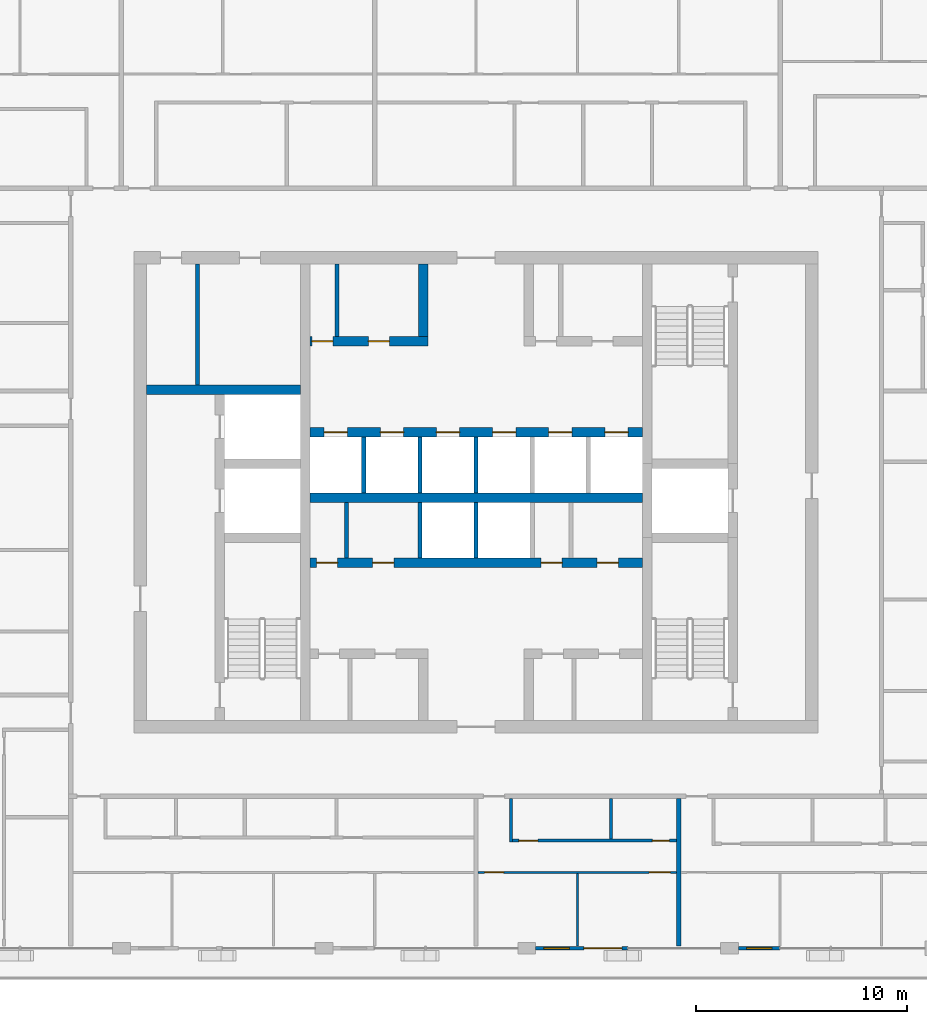
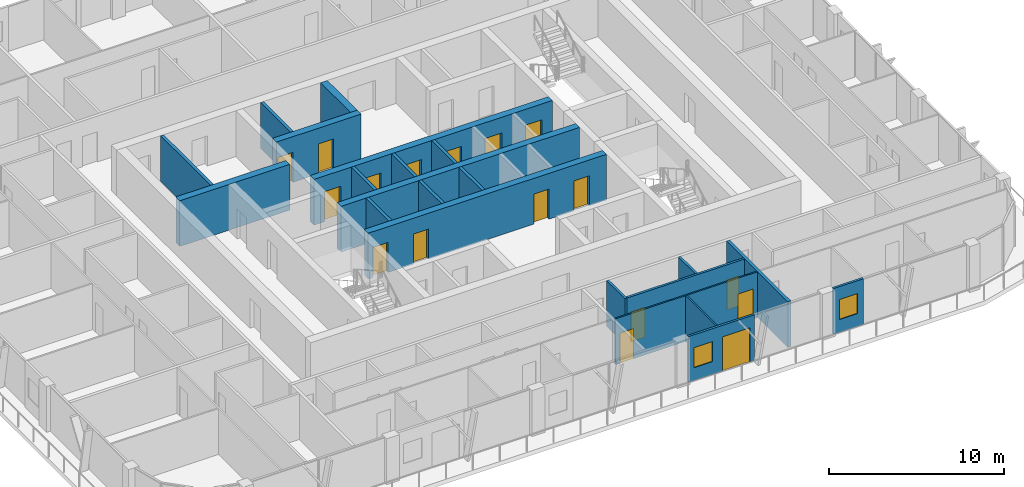
# One storey, part 11 of 21: 22 walls, 17 doors, 2 windows, 19 openings.
"""IFC4 building model written with IfcOpenShell, lengths in metres."""

from ifc_helpers import new_model, si_unit, direction, frame, frame_2d, origin, place, context, subcontext, project, spatial, rectangle, extrude, material, layer, layer_set, type_object, element, fill, save


model = new_model("IFC4")

# Units and contexts
model_context = context("Model", 3, precision=1e-05, world=origin(), true_north=direction((0.0, 1.0)))
body_context = subcontext(model_context, "Body", "Model", "MODEL_VIEW")
ifc_project = project(units=[si_unit("LENGTHUNIT", "METRE"), si_unit("AREAUNIT", "SQUARE_METRE"), si_unit("VOLUMEUNIT", "CUBIC_METRE"), si_unit("PLANEANGLEUNIT", "RADIAN"), si_unit("MASSUNIT", "GRAM", prefix="KILO")], contexts=[model_context])

# Site, building, storey
site_placement = place(None, origin())
site = spatial("IfcSite", under=ifc_project, at=site_placement, CompositionType="ELEMENT")
building_placement = place(site_placement, origin())
building = spatial("IfcBuilding", under=site, at=building_placement, Name="Madar Terraces", CompositionType="ELEMENT")
storey_placement = place(building_placement, frame((0.0, 0.0, 245.699951171875)))
storey = spatial("IfcBuildingStorey", under=building, at=storey_placement, Name="L64", CompositionType="ELEMENT", Elevation=245.699951171875)

# Wall
ifc_material_1 = material(Name="Concrete C55/67", Category="concrete")
ifc_layer_1 = layer(ifc_material_1, 0.449951171875)
ifc_layer_set_1 = layer_set([ifc_layer_1], Name="Concrete C55/67 (CIW5 RC wall 450)")
wall_type_1 = type_object("IfcWallType", Name="CIW5 RC wall 450", PredefinedType="SHEAR", material=ifc_layer_set_1)
wall_1_placement = place(storey_placement, frame((15.60009765625, 31.25, 0.0), z_axis=(0.0, 0.0, 1.0), x_axis=(1.0, 0.0, 0.0)))
element("IfcWall", 1, at=wall_1_placement, inside=storey, type_object=wall_type_1, Name="CORE SHAFT WALL", PredefinedType="SHEAR", context=body_context, shape_type="SweptSolid", body=[
    extrude(rectangle(XDim=7.27490234375, YDim=0.449951171875, at=frame_2d((3.637451171875, 0.0))), origin(), (0.0, 0.0, 1.0), 3.199951171875),
])

# Wall, openings, doors
wall_2_placement = place(storey_placement, frame((23.324951171875, 23.050048828125, 0.0), z_axis=(0.0, 0.0, 1.0), x_axis=(1.0, 0.0, 0.0)))
wall_2 = element("IfcWall", 2, at=wall_2_placement, inside=storey, type_object=wall_type_1, Name="CORE SHAFT WALL", PredefinedType="SHEAR", context=body_context, shape_type="SweptSolid", body=[
    extrude(rectangle(XDim=15.75, YDim=0.449951171875, at=frame_2d((7.875, 0.0))), origin(), (0.0, 0.0, 1.0), 3.199951171875),
])
opening_1_placement = place(wall_2_placement, frame((0.31982421875, 0.0, 0.0)))
opening_1 = element("IfcOpeningElement", 3, at=opening_1_placement, cuts=wall_2, Name="Opening KD2", PredefinedType="OPENING", context=body_context, shape_type="SweptSolid", body=[
    extrude(rectangle(XDim=1.0, YDim=2.10009765625, at=frame_2d((0.5, 1.050048828125))), frame((0.0, 0.23486328125, 0.0), z_axis=(0.0, -1.0, 0.0), x_axis=(1.0, 0.0, 0.0)), (0.0, 0.0, 1.0), 0.469970703125),
])
opening_2_placement = place(wall_2_placement, frame((2.978271484375, 0.0, 0.0)))
opening_2 = element("IfcOpeningElement", 4, at=opening_2_placement, cuts=wall_2, Name="Opening KD2", PredefinedType="OPENING", context=body_context, shape_type="SweptSolid", body=[
    extrude(rectangle(XDim=1.0, YDim=2.10009765625, at=frame_2d((0.5, 1.050048828125))), frame((0.0, 0.23486328125, 0.0), z_axis=(0.0, -1.0, 0.0), x_axis=(1.0, 0.0, 0.0)), (0.0, 0.0, 1.0), 0.469970703125),
])
opening_3_placement = place(wall_2_placement, frame((10.953125, 0.0, 0.0)))
opening_3 = element("IfcOpeningElement", 5, at=opening_3_placement, cuts=wall_2, Name="Opening KD2", PredefinedType="OPENING", context=body_context, shape_type="SweptSolid", body=[
    extrude(rectangle(XDim=1.0, YDim=2.10009765625, at=frame_2d((0.5, 1.050048828125))), frame((0.0, 0.23486328125, 0.0), z_axis=(0.0, -1.0, 0.0), x_axis=(1.0, 0.0, 0.0)), (0.0, 0.0, 1.0), 0.469970703125),
])
opening_4_placement = place(wall_2_placement, frame((13.611572265625, 0.0, 0.0)))
opening_4 = element("IfcOpeningElement", 6, at=opening_4_placement, cuts=wall_2, Name="Opening KD2", PredefinedType="OPENING", context=body_context, shape_type="SweptSolid", body=[
    extrude(rectangle(XDim=1.0, YDim=2.10009765625, at=frame_2d((0.5, 1.050048828125))), frame((0.0, 0.23486328125, 0.0), z_axis=(0.0, -1.0, 0.0), x_axis=(1.0, 0.0, 0.0)), (0.0, 0.0, 1.0), 0.469970703125),
])
ifc_material_2 = material(Name="Steel door leaf", Category="steel")
door_type_1 = type_object("IfcDoorType", Name="Service room door 1000 x 2100", OperationType="NOTDEFINED", PredefinedType="DOOR", material=ifc_material_2)
door_1_placement = place(opening_1_placement, frame((1.0, 0.0, 0.0), z_axis=(0.0, 0.0, 1.0), x_axis=(-1.0, 0.0, 0.0)))
door_1 = element("IfcDoor", 7, at=door_1_placement, inside=storey, type_object=door_type_1, Name="SERVICE ROOM DOOR", OperationType="SINGLE_SWING_LEFT", OverallHeight=2.10009765625, OverallWidth=1.0, PredefinedType="DOOR", context=body_context, shape_type="SweptSolid", body=[
    extrude(rectangle(XDim=1.0, YDim=2.10009765625, at=frame_2d((0.5, 1.050048828125))), frame((0.0, 0.02490234375, 0.0), z_axis=(0.0, -1.0, 0.0), x_axis=(1.0, 0.0, 0.0)), (0.0, 0.0, 1.0), 0.050048828125),
])
fill(opening_1, door_1)
door_2_placement = place(opening_2_placement, frame((1.0, 0.0, 0.0), z_axis=(0.0, 0.0, 1.0), x_axis=(-1.0, 0.0, 0.0)))
door_2 = element("IfcDoor", 8, at=door_2_placement, inside=storey, type_object=door_type_1, Name="SERVICE ROOM DOOR", OperationType="SINGLE_SWING_RIGHT", OverallHeight=2.10009765625, OverallWidth=1.0, PredefinedType="DOOR", context=body_context, shape_type="SweptSolid", body=[
    extrude(rectangle(XDim=1.0, YDim=2.10009765625, at=frame_2d((0.5, 1.050048828125))), frame((0.0, 0.02490234375, 0.0), z_axis=(0.0, -1.0, 0.0), x_axis=(1.0, 0.0, 0.0)), (0.0, 0.0, 1.0), 0.050048828125),
])
fill(opening_2, door_2)
door_3_placement = place(opening_3_placement, frame((1.0, 0.0, 0.0), z_axis=(0.0, 0.0, 1.0), x_axis=(-1.0, 0.0, 0.0)))
door_3 = element("IfcDoor", 9, at=door_3_placement, inside=storey, type_object=door_type_1, Name="SERVICE ROOM DOOR", OperationType="SINGLE_SWING_LEFT", OverallHeight=2.10009765625, OverallWidth=1.0, PredefinedType="DOOR", context=body_context, shape_type="SweptSolid", body=[
    extrude(rectangle(XDim=1.0, YDim=2.10009765625, at=frame_2d((0.5, 1.050048828125))), frame((0.0, 0.02490234375, 0.0), z_axis=(0.0, -1.0, 0.0), x_axis=(1.0, 0.0, 0.0)), (0.0, 0.0, 1.0), 0.050048828125),
])
fill(opening_3, door_3)
door_4_placement = place(opening_4_placement, frame((1.0, 0.0, 0.0), z_axis=(0.0, 0.0, 1.0), x_axis=(-1.0, 0.0, 0.0)))
door_4 = element("IfcDoor", 10, at=door_4_placement, inside=storey, type_object=door_type_1, Name="SERVICE ROOM DOOR", OperationType="SINGLE_SWING_RIGHT", OverallHeight=2.10009765625, OverallWidth=1.0, PredefinedType="DOOR", context=body_context, shape_type="SweptSolid", body=[
    extrude(rectangle(XDim=1.0, YDim=2.10009765625, at=frame_2d((0.5, 1.050048828125))), frame((0.0, 0.02490234375, 0.0), z_axis=(0.0, -1.0, 0.0), x_axis=(1.0, 0.0, 0.0)), (0.0, 0.0, 1.0), 0.050048828125),
])
fill(opening_4, door_4)

# Wall
wall_3_placement = place(storey_placement, frame((23.324951171875, 26.14990234375, 0.0), z_axis=(0.0, 0.0, 1.0), x_axis=(1.0, 0.0, 0.0)))
element("IfcWall", 11, at=wall_3_placement, inside=storey, type_object=wall_type_1, Name="CORE SHAFT WALL", PredefinedType="SHEAR", context=body_context, shape_type="SweptSolid", body=[
    extrude(rectangle(XDim=15.75, YDim=0.449951171875, at=frame_2d((7.875, 0.0))), origin(), (0.0, 0.0, 1.0), 3.199951171875),
])

# Wall, openings, doors
wall_4_placement = place(storey_placement, frame((23.324951171875, 29.25, 0.0), z_axis=(0.0, 0.0, 1.0), x_axis=(1.0, 0.0, 0.0)))
wall_4 = element("IfcWall", 12, at=wall_4_placement, inside=storey, type_object=wall_type_1, Name="CORE SHAFT WALL", PredefinedType="SHEAR", context=body_context, shape_type="SweptSolid", body=[
    extrude(rectangle(XDim=15.75, YDim=0.449951171875, at=frame_2d((7.875, 0.0))), origin(), (0.0, 0.0, 1.0), 3.199951171875),
])
opening_5_placement = place(wall_4_placement, frame((0.67919921875, 0.0, 0.0)))
opening_5 = element("IfcOpeningElement", 13, at=opening_5_placement, cuts=wall_4, Name="Opening LD", PredefinedType="OPENING", context=body_context, shape_type="SweptSolid", body=[
    extrude(rectangle(XDim=1.10009765625, YDim=2.10009765625, at=frame_2d((0.550048828125, 1.050048828125))), frame((0.0, 0.23486328125, 0.0), z_axis=(0.0, -1.0, 0.0), x_axis=(1.0, 0.0, 0.0)), (0.0, 0.0, 1.0), 0.469970703125),
])
opening_6_placement = place(wall_4_placement, frame((3.33740234375, 0.0, 0.0)))
opening_6 = element("IfcOpeningElement", 14, at=opening_6_placement, cuts=wall_4, Name="Opening LD", PredefinedType="OPENING", context=body_context, shape_type="SweptSolid", body=[
    extrude(rectangle(XDim=1.10009765625, YDim=2.10009765625, at=frame_2d((0.550048828125, 1.050048828125))), frame((0.0, 0.23486328125, 0.0), z_axis=(0.0, -1.0, 0.0), x_axis=(1.0, 0.0, 0.0)), (0.0, 0.0, 1.0), 0.469970703125),
])
opening_7_placement = place(wall_4_placement, frame((5.995849609375, 0.0, 0.0)))
opening_7 = element("IfcOpeningElement", 15, at=opening_7_placement, cuts=wall_4, Name="Opening LD", PredefinedType="OPENING", context=body_context, shape_type="SweptSolid", body=[
    extrude(rectangle(XDim=1.10009765625, YDim=2.10009765625, at=frame_2d((0.550048828125, 1.050048828125))), frame((0.0, 0.23486328125, 0.0), z_axis=(0.0, -1.0, 0.0), x_axis=(1.0, 0.0, 0.0)), (0.0, 0.0, 1.0), 0.469970703125),
])
opening_8_placement = place(wall_4_placement, frame((8.654052734375, 0.0, 0.0)))
opening_8 = element("IfcOpeningElement", 16, at=opening_8_placement, cuts=wall_4, Name="Opening LD", PredefinedType="OPENING", context=body_context, shape_type="SweptSolid", body=[
    extrude(rectangle(XDim=1.10009765625, YDim=2.10009765625, at=frame_2d((0.550048828125, 1.050048828125))), frame((0.0, 0.23486328125, 0.0), z_axis=(0.0, -1.0, 0.0), x_axis=(1.0, 0.0, 0.0)), (0.0, 0.0, 1.0), 0.469970703125),
])
opening_9_placement = place(wall_4_placement, frame((11.3125, 0.0, 0.0)))
opening_9 = element("IfcOpeningElement", 17, at=opening_9_placement, cuts=wall_4, Name="Opening LD", PredefinedType="OPENING", context=body_context, shape_type="SweptSolid", body=[
    extrude(rectangle(XDim=1.10009765625, YDim=2.10009765625, at=frame_2d((0.550048828125, 1.050048828125))), frame((0.0, 0.23486328125, 0.0), z_axis=(0.0, -1.0, 0.0), x_axis=(1.0, 0.0, 0.0)), (0.0, 0.0, 1.0), 0.469970703125),
])
opening_10_placement = place(wall_4_placement, frame((13.970947265625, 0.0, 0.0)))
opening_10 = element("IfcOpeningElement", 18, at=opening_10_placement, cuts=wall_4, Name="Opening LD", PredefinedType="OPENING", context=body_context, shape_type="SweptSolid", body=[
    extrude(rectangle(XDim=1.10009765625, YDim=2.10009765625, at=frame_2d((0.550048828125, 1.050048828125))), frame((0.0, 0.23486328125, 0.0), z_axis=(0.0, -1.0, 0.0), x_axis=(1.0, 0.0, 0.0)), (0.0, 0.0, 1.0), 0.469970703125),
])
ifc_material_3 = material(Name="Stainless steel panel", Category="steel")
door_type_2 = type_object("IfcDoorType", Name="Lift landing door 1100 x 2100", OperationType="DOUBLE_DOOR_SLIDING", PredefinedType="DOOR", material=ifc_material_3)
door_5_placement = place(opening_5_placement, origin())
door_5 = element("IfcDoor", 19, at=door_5_placement, inside=storey, type_object=door_type_2, Name="LIFT LANDING DOOR", OperationType="DOUBLE_DOOR_SLIDING", OverallHeight=2.10009765625, OverallWidth=1.10009765625, PredefinedType="DOOR", context=body_context, shape_type="SweptSolid", body=[
    extrude(rectangle(XDim=1.10009765625, YDim=2.10009765625, at=frame_2d((0.550048828125, 1.050048828125))), frame((0.0, 0.02490234375, 0.0), z_axis=(0.0, -1.0, 0.0), x_axis=(1.0, 0.0, 0.0)), (0.0, 0.0, 1.0), 0.050048828125),
])
fill(opening_5, door_5)
door_6_placement = place(opening_6_placement, origin())
door_6 = element("IfcDoor", 20, at=door_6_placement, inside=storey, type_object=door_type_2, Name="LIFT LANDING DOOR", OperationType="DOUBLE_DOOR_SLIDING", OverallHeight=2.10009765625, OverallWidth=1.10009765625, PredefinedType="DOOR", context=body_context, shape_type="SweptSolid", body=[
    extrude(rectangle(XDim=1.10009765625, YDim=2.10009765625, at=frame_2d((0.550048828125, 1.050048828125))), frame((0.0, 0.02490234375, 0.0), z_axis=(0.0, -1.0, 0.0), x_axis=(1.0, 0.0, 0.0)), (0.0, 0.0, 1.0), 0.050048828125),
])
fill(opening_6, door_6)
door_7_placement = place(opening_7_placement, origin())
door_7 = element("IfcDoor", 21, at=door_7_placement, inside=storey, type_object=door_type_2, Name="LIFT LANDING DOOR", OperationType="DOUBLE_DOOR_SLIDING", OverallHeight=2.10009765625, OverallWidth=1.10009765625, PredefinedType="DOOR", context=body_context, shape_type="SweptSolid", body=[
    extrude(rectangle(XDim=1.10009765625, YDim=2.10009765625, at=frame_2d((0.550048828125, 1.050048828125))), frame((0.0, 0.02490234375, 0.0), z_axis=(0.0, -1.0, 0.0), x_axis=(1.0, 0.0, 0.0)), (0.0, 0.0, 1.0), 0.050048828125),
])
fill(opening_7, door_7)
door_8_placement = place(opening_8_placement, origin())
door_8 = element("IfcDoor", 22, at=door_8_placement, inside=storey, type_object=door_type_2, Name="LIFT LANDING DOOR", OperationType="DOUBLE_DOOR_SLIDING", OverallHeight=2.10009765625, OverallWidth=1.10009765625, PredefinedType="DOOR", context=body_context, shape_type="SweptSolid", body=[
    extrude(rectangle(XDim=1.10009765625, YDim=2.10009765625, at=frame_2d((0.550048828125, 1.050048828125))), frame((0.0, 0.02490234375, 0.0), z_axis=(0.0, -1.0, 0.0), x_axis=(1.0, 0.0, 0.0)), (0.0, 0.0, 1.0), 0.050048828125),
])
fill(opening_8, door_8)
door_9_placement = place(opening_9_placement, origin())
door_9 = element("IfcDoor", 23, at=door_9_placement, inside=storey, type_object=door_type_2, Name="LIFT LANDING DOOR", OperationType="DOUBLE_DOOR_SLIDING", OverallHeight=2.10009765625, OverallWidth=1.10009765625, PredefinedType="DOOR", context=body_context, shape_type="SweptSolid", body=[
    extrude(rectangle(XDim=1.10009765625, YDim=2.10009765625, at=frame_2d((0.550048828125, 1.050048828125))), frame((0.0, 0.02490234375, 0.0), z_axis=(0.0, -1.0, 0.0), x_axis=(1.0, 0.0, 0.0)), (0.0, 0.0, 1.0), 0.050048828125),
])
fill(opening_9, door_9)
door_10_placement = place(opening_10_placement, origin())
door_10 = element("IfcDoor", 24, at=door_10_placement, inside=storey, type_object=door_type_2, Name="LIFT LANDING DOOR", OperationType="DOUBLE_DOOR_SLIDING", OverallHeight=2.10009765625, OverallWidth=1.10009765625, PredefinedType="DOOR", context=body_context, shape_type="SweptSolid", body=[
    extrude(rectangle(XDim=1.10009765625, YDim=2.10009765625, at=frame_2d((0.550048828125, 1.050048828125))), frame((0.0, 0.02490234375, 0.0), z_axis=(0.0, -1.0, 0.0), x_axis=(1.0, 0.0, 0.0)), (0.0, 0.0, 1.0), 0.050048828125),
])
fill(opening_10, door_10)

wall_5_placement = place(storey_placement, frame((23.324951171875, 33.550048828125, 0.0), z_axis=(0.0, 0.0, 1.0), x_axis=(1.0, 0.0, 0.0)))
wall_5 = element("IfcWall", 25, at=wall_5_placement, inside=storey, type_object=wall_type_1, Name="CORE SHAFT WALL", PredefinedType="SHEAR", context=body_context, shape_type="SweptSolid", body=[
    extrude(rectangle(XDim=5.60009765625, YDim=0.449951171875, at=frame_2d((2.800048828125, 0.0))), origin(), (0.0, 0.0, 1.0), 3.199951171875),
])
opening_11_placement = place(wall_5_placement, frame((0.09375, 0.0, 0.0)))
opening_11 = element("IfcOpeningElement", 26, at=opening_11_placement, cuts=wall_5, Name="Opening KD2", PredefinedType="OPENING", context=body_context, shape_type="SweptSolid", body=[
    extrude(rectangle(XDim=1.0, YDim=2.10009765625, at=frame_2d((0.5, 1.050048828125))), frame((0.0, 0.23486328125, 0.0), z_axis=(0.0, -1.0, 0.0), x_axis=(1.0, 0.0, 0.0)), (0.0, 0.0, 1.0), 0.469970703125),
])
opening_12_placement = place(wall_5_placement, frame((2.768798828125, 0.0, 0.0)))
opening_12 = element("IfcOpeningElement", 27, at=opening_12_placement, cuts=wall_5, Name="Opening KD2", PredefinedType="OPENING", context=body_context, shape_type="SweptSolid", body=[
    extrude(rectangle(XDim=1.0, YDim=2.10009765625, at=frame_2d((0.5, 1.050048828125))), frame((0.0, 0.23486328125, 0.0), z_axis=(0.0, -1.0, 0.0), x_axis=(1.0, 0.0, 0.0)), (0.0, 0.0, 1.0), 0.469970703125),
])
door_11_placement = place(opening_11_placement, frame((1.0, 0.0, 0.0), z_axis=(0.0, 0.0, 1.0), x_axis=(-1.0, 0.0, 0.0)))
door_11 = element("IfcDoor", 28, at=door_11_placement, inside=storey, type_object=door_type_1, Name="SERVICE ROOM DOOR", OperationType="SINGLE_SWING_LEFT", OverallHeight=2.10009765625, OverallWidth=1.0, PredefinedType="DOOR", context=body_context, shape_type="SweptSolid", body=[
    extrude(rectangle(XDim=1.0, YDim=2.10009765625, at=frame_2d((0.5, 1.050048828125))), frame((0.0, 0.02490234375, 0.0), z_axis=(0.0, -1.0, 0.0), x_axis=(1.0, 0.0, 0.0)), (0.0, 0.0, 1.0), 0.050048828125),
])
fill(opening_11, door_11)
door_12_placement = place(opening_12_placement, frame((1.0, 0.0, 0.0), z_axis=(0.0, 0.0, 1.0), x_axis=(-1.0, 0.0, 0.0)))
door_12 = element("IfcDoor", 29, at=door_12_placement, inside=storey, type_object=door_type_1, Name="SERVICE ROOM DOOR", OperationType="SINGLE_SWING_RIGHT", OverallHeight=2.10009765625, OverallWidth=1.0, PredefinedType="DOOR", context=body_context, shape_type="SweptSolid", body=[
    extrude(rectangle(XDim=1.0, YDim=2.10009765625, at=frame_2d((0.5, 1.050048828125))), frame((0.0, 0.02490234375, 0.0), z_axis=(0.0, -1.0, 0.0), x_axis=(1.0, 0.0, 0.0)), (0.0, 0.0, 1.0), 0.050048828125),
])
fill(opening_12, door_12)

# Walls
wall_6_placement = place(storey_placement, frame((28.699951171875, 33.77490234375, 0.0), z_axis=(0.0, 0.0, 1.0), x_axis=(0.0, 1.0, 0.0)))
element("IfcWall", 30, at=wall_6_placement, inside=storey, type_object=wall_type_1, Name="CORE SHAFT WALL", PredefinedType="SHEAR", context=body_context, shape_type="SweptSolid", body=[
    extrude(rectangle(XDim=3.425048828125, YDim=0.449951171875, at=frame_2d((1.71240234375, 0.0))), origin(), (0.0, 0.0, 1.0), 3.199951171875),
])
ifc_material_4 = material(Name="Masonry blockwork", Category="masonry")
ifc_layer_2 = layer(ifc_material_4, 0.199951171875)
ifc_layer_set_2 = layer_set([ifc_layer_2], Name="Core partition 200 blockwork")
wall_type_2 = type_object("IfcWallType", Name="Core partition 200 blockwork", PredefinedType="PARTITIONING", material=ifc_layer_set_2)
wall_7_placement = place(storey_placement, frame((18.000732421875, 31.47509765625, 0.0), z_axis=(0.0, 0.0, 1.0), x_axis=(0.0, 1.0, 0.0)))
element("IfcWall", 31, at=wall_7_placement, inside=storey, type_object=wall_type_2, Name="SERVICE ROOM PARTITION", PredefinedType="PARTITIONING", context=body_context, shape_type="SweptSolid", body=[
    extrude(rectangle(XDim=5.724853515625, YDim=0.199951171875, at=frame_2d((2.8623046875, 0.0))), origin(), (0.0, 0.0, 1.0), 3.199951171875),
])
wall_8_placement = place(storey_placement, frame((25.064697265625, 23.27490234375, 0.0), z_axis=(0.0, 0.0, 1.0), x_axis=(0.0, 1.0, 0.0)))
element("IfcWall", 32, at=wall_8_placement, inside=storey, type_object=wall_type_2, Name="SERVICE ROOM PARTITION", PredefinedType="PARTITIONING", context=body_context, shape_type="SweptSolid", body=[
    extrude(rectangle(XDim=2.650146484375, YDim=0.199951171875, at=frame_2d((1.3251953125, 0.0))), origin(), (0.0, 0.0, 1.0), 3.199951171875),
])
wall_9_placement = place(storey_placement, frame((24.612548828125, 33.77490234375, 0.0), z_axis=(0.0, 0.0, 1.0), x_axis=(0.0, 1.0, 0.0)))
element("IfcWall", 33, at=wall_9_placement, inside=storey, type_object=wall_type_2, Name="SERVICE ROOM PARTITION", PredefinedType="PARTITIONING", context=body_context, shape_type="SweptSolid", body=[
    extrude(rectangle(XDim=3.425048828125, YDim=0.199951171875, at=frame_2d((1.71240234375, 0.0))), origin(), (0.0, 0.0, 1.0), 3.199951171875),
])
ifc_material_5 = material(Name="Concrete C40/50", Category="concrete")
ifc_layer_3 = layer(ifc_material_5, 0.199951171875)
ifc_layer_set_3 = layer_set([ifc_layer_3], Name="Core shaft dividing wall 200 C40/50")
wall_type_3 = type_object("IfcWallType", Name="Core shaft dividing wall 200 C40/50", PredefinedType="SOLIDWALL", material=ifc_layer_set_3)
wall_10_placement = place(storey_placement, frame((25.88330078125, 26.375, 0.0), z_axis=(0.0, 0.0, 1.0), x_axis=(0.0, 1.0, 0.0)))
element("IfcWall", 34, at=wall_10_placement, inside=storey, type_object=wall_type_3, Name="SHAFT DIVIDING WALL", PredefinedType="SOLIDWALL", context=body_context, shape_type="SweptSolid", body=[
    extrude(rectangle(XDim=2.64990234375, YDim=0.199951171875, at=frame_2d((1.324951171875, 0.0))), origin(), (0.0, 0.0, 1.0), 3.199951171875),
])
wall_11_placement = place(storey_placement, frame((28.541748046875, 23.27490234375, 0.0), z_axis=(0.0, 0.0, 1.0), x_axis=(0.0, 1.0, 0.0)))
element("IfcWall", 35, at=wall_11_placement, inside=storey, type_object=wall_type_3, Name="SHAFT DIVIDING WALL", PredefinedType="SOLIDWALL", context=body_context, shape_type="SweptSolid", body=[
    extrude(rectangle(XDim=2.650146484375, YDim=0.199951171875, at=frame_2d((1.3251953125, 0.0))), origin(), (0.0, 0.0, 1.0), 3.199951171875),
])
wall_12_placement = place(storey_placement, frame((28.541748046875, 26.375, 0.0), z_axis=(0.0, 0.0, 1.0), x_axis=(0.0, 1.0, 0.0)))
element("IfcWall", 36, at=wall_12_placement, inside=storey, type_object=wall_type_3, Name="SHAFT DIVIDING WALL", PredefinedType="SOLIDWALL", context=body_context, shape_type="SweptSolid", body=[
    extrude(rectangle(XDim=2.64990234375, YDim=0.199951171875, at=frame_2d((1.324951171875, 0.0))), origin(), (0.0, 0.0, 1.0), 3.199951171875),
])
wall_13_placement = place(storey_placement, frame((31.199951171875, 23.27490234375, 0.0), z_axis=(0.0, 0.0, 1.0), x_axis=(0.0, 1.0, 0.0)))
element("IfcWall", 37, at=wall_13_placement, inside=storey, type_object=wall_type_3, Name="SHAFT DIVIDING WALL", PredefinedType="SOLIDWALL", context=body_context, shape_type="SweptSolid", body=[
    extrude(rectangle(XDim=2.650146484375, YDim=0.199951171875, at=frame_2d((1.3251953125, 0.0))), origin(), (0.0, 0.0, 1.0), 3.199951171875),
])
wall_14_placement = place(storey_placement, frame((31.199951171875, 26.375, 0.0), z_axis=(0.0, 0.0, 1.0), x_axis=(0.0, 1.0, 0.0)))
element("IfcWall", 38, at=wall_14_placement, inside=storey, type_object=wall_type_3, Name="SHAFT DIVIDING WALL", PredefinedType="SOLIDWALL", context=body_context, shape_type="SweptSolid", body=[
    extrude(rectangle(XDim=2.64990234375, YDim=0.199951171875, at=frame_2d((1.324951171875, 0.0))), origin(), (0.0, 0.0, 1.0), 3.199951171875),
])

# Wall, openings, door, window
ifc_material_6 = material(Name="Aluminium composite panel, black, over insulated backing", Category="aluminium")
ifc_layer_4 = layer(ifc_material_6, 0.14990234375)
ifc_layer_set_4 = layer_set([ifc_layer_4], Name="Facade bay panel 150")
wall_type_4 = type_object("IfcWallType", Name="Facade bay panel 150", PredefinedType="SOLIDWALL", material=ifc_layer_set_4)
wall_15_placement = place(storey_placement, frame((34.02490234375, 4.800048828125, 0.0), z_axis=(0.0, 0.0, 1.0), x_axis=(1.0, 0.0, 0.0)))
wall_15 = element("IfcWall", 39, at=wall_15_placement, inside=storey, type_object=wall_type_4, Name="Facade bay panel", PredefinedType="SOLIDWALL", context=body_context, shape_type="SweptSolid", body=[
    extrude(rectangle(XDim=4.375, YDim=0.14990234375, at=frame_2d((2.1875, 0.0))), origin(), (0.0, 0.0, 1.0), 3.199951171875),
])
opening_13_placement = place(wall_15_placement, frame((0.387451171875, 0.0, 0.89990234375)))
opening_13 = element("IfcOpeningElement", 40, at=opening_13_placement, cuts=wall_15, Name="Opening W1", PredefinedType="OPENING", context=body_context, shape_type="SweptSolid", body=[
    extrude(rectangle(XDim=1.199951171875, YDim=1.39990234375, at=frame_2d((0.60009765625, 0.699951171875))), frame((0.0, 0.0849609375, 0.0), z_axis=(0.0, -1.0, 0.0), x_axis=(1.0, 0.0, 0.0)), (0.0, 0.0, 1.0), 0.169921875),
])
opening_14_placement = place(wall_15_placement, frame((2.27490234375, 0.0, 0.0)))
opening_14 = element("IfcOpeningElement", 41, at=opening_14_placement, cuts=wall_15, Name="Opening ED1", PredefinedType="OPENING", context=body_context, shape_type="SweptSolid", body=[
    extrude(rectangle(XDim=1.800048828125, YDim=2.39990234375, at=frame_2d((0.89990234375, 1.199951171875))), frame((0.0, 0.0849609375, 0.0), z_axis=(0.0, -1.0, 0.0), x_axis=(1.0, 0.0, 0.0)), (0.0, 0.0, 1.0), 0.169921875),
])
ifc_material_7 = material(Name="Glass, clear, with black aluminium frame", Category="aluminium")
door_type_3 = type_object("IfcDoorType", Name="Balcony and terrace sliding door 1800 x 2400", OperationType="SLIDING_TO_LEFT", PredefinedType="DOOR", material=ifc_material_7)
door_13_placement = place(opening_14_placement, origin())
door_13 = element("IfcDoor", 42, at=door_13_placement, inside=storey, type_object=door_type_3, Name="Balcony door", OperationType="SLIDING_TO_RIGHT", OverallHeight=2.39990234375, OverallWidth=1.800048828125, PredefinedType="DOOR", context=body_context, shape_type="SweptSolid", body=[
    extrude(rectangle(XDim=1.800048828125, YDim=2.39990234375, at=frame_2d((0.89990234375, 1.199951171875))), frame((0.0, 0.02490234375, 0.0), z_axis=(0.0, -1.0, 0.0), x_axis=(1.0, 0.0, 0.0)), (0.0, 0.0, 1.0), 0.050048828125),
])
fill(opening_14, door_13)
ifc_material_8 = material(Name="Glass, clear, with black aluminium frame", Category="aluminium")
window_type = type_object("IfcWindowType", Name="Vent window 1200 x 1400", PartitioningType="SINGLE_PANEL", PredefinedType="WINDOW", material=ifc_material_8)
window_1_placement = place(opening_13_placement, origin())
window_1 = element("IfcWindow", 43, at=window_1_placement, inside=storey, type_object=window_type, Name="Operable vent window", OverallHeight=1.39990234375, OverallWidth=1.199951171875, PartitioningType="SINGLE_PANEL", PredefinedType="WINDOW", context=body_context, shape_type="SweptSolid", body=[
    extrude(rectangle(XDim=1.199951171875, YDim=1.39990234375, at=frame_2d((0.60009765625, 0.699951171875))), frame((0.0, 0.030029296875, 0.0), z_axis=(0.0, -1.0, 0.0), x_axis=(1.0, 0.0, 0.0)), (0.0, 0.0, 1.0), 0.06005859375),
])
fill(opening_13, window_1)

# Wall, opening, window
wall_16_placement = place(storey_placement, frame((43.625, 4.800048828125, 0.0), z_axis=(0.0, 0.0, 1.0), x_axis=(1.0, 0.0, 0.0)))
wall_16 = element("IfcWall", 44, at=wall_16_placement, inside=storey, type_object=wall_type_4, Name="Facade bay panel", PredefinedType="SOLIDWALL", context=body_context, shape_type="SweptSolid", body=[
    extrude(rectangle(XDim=1.97509765625, YDim=0.14990234375, at=frame_2d((0.987548828125, 0.0))), origin(), (0.0, 0.0, 1.0), 3.199951171875),
])
opening_15_placement = place(wall_16_placement, frame((0.387451171875, 0.0, 0.89990234375)))
opening_15 = element("IfcOpeningElement", 45, at=opening_15_placement, cuts=wall_16, Name="Opening W1", PredefinedType="OPENING", context=body_context, shape_type="SweptSolid", body=[
    extrude(rectangle(XDim=1.199951171875, YDim=1.39990234375, at=frame_2d((0.60009765625, 0.699951171875))), frame((0.0, 0.0849609375, 0.0), z_axis=(0.0, -1.0, 0.0), x_axis=(1.0, 0.0, 0.0)), (0.0, 0.0, 1.0), 0.169921875),
])
window_2_placement = place(opening_15_placement, origin())
window_2 = element("IfcWindow", 46, at=window_2_placement, inside=storey, type_object=window_type, Name="Operable vent window", OverallHeight=1.39990234375, OverallWidth=1.199951171875, PartitioningType="SINGLE_PANEL", PredefinedType="WINDOW", context=body_context, shape_type="SweptSolid", body=[
    extrude(rectangle(XDim=1.199951171875, YDim=1.39990234375, at=frame_2d((0.60009765625, 0.699951171875))), frame((0.0, 0.030029296875, 0.0), z_axis=(0.0, -1.0, 0.0), x_axis=(1.0, 0.0, 0.0)), (0.0, 0.0, 1.0), 0.06005859375),
])
fill(opening_15, window_2)

# Wall
ifc_material_9 = material(Name="Gypsum board on steel studs", Category="steel")
ifc_layer_5 = layer(ifc_material_9, 0.10009765625)
ifc_layer_set_5 = layer_set([ifc_layer_5], Name="Flat partition 100")
wall_type_5 = type_object("IfcWallType", Name="Flat partition 100", PredefinedType="PARTITIONING", material=ifc_layer_set_5)
wall_17_placement = place(storey_placement, frame((36.0, 8.35009765625, 0.0), z_axis=(0.0, 0.0, 1.0), x_axis=(0.0, -1.0, 0.0)))
element("IfcWall", 47, at=wall_17_placement, inside=storey, type_object=wall_type_5, Name="Flat partition 100", PredefinedType="PARTITIONING", context=body_context, shape_type="SweptSolid", body=[
    extrude(rectangle(XDim=3.4501953125, YDim=0.10009765625, at=frame_2d((1.72509765625, 0.0))), origin(), (0.0, 0.0, 1.0), 3.199951171875),
])

# Wall, openings, doors
wall_18_placement = place(storey_placement, frame((40.699951171875, 8.39990234375, 0.0), z_axis=(0.0, 0.0, 1.0), x_axis=(-1.0, 0.0, 0.0)))
wall_18 = element("IfcWall", 48, at=wall_18_placement, inside=storey, type_object=wall_type_5, Name="Flat partition 100", PredefinedType="PARTITIONING", context=body_context, shape_type="SweptSolid", body=[
    extrude(rectangle(XDim=9.39990234375, YDim=0.10009765625, at=frame_2d((4.699951171875, 0.0))), origin(), (0.0, 0.0, 1.0), 3.199951171875),
])
opening_16_placement = place(wall_18_placement, frame((8.199951171875, 0.0, 0.0)))
opening_16 = element("IfcOpeningElement", 49, at=opening_16_placement, cuts=wall_18, Name="Opening D2", PredefinedType="OPENING", context=body_context, shape_type="SweptSolid", body=[
    extrude(rectangle(XDim=0.89990234375, YDim=2.10009765625, at=frame_2d((0.449951171875, 1.050048828125))), frame((0.0, 0.06005859375, 0.0), z_axis=(0.0, -1.0, 0.0), x_axis=(1.0, 0.0, 0.0)), (0.0, 0.0, 1.0), 0.1201171875),
])
opening_17_placement = place(wall_18_placement, frame((0.300048828125, 0.0, 0.0)))
opening_17 = element("IfcOpeningElement", 50, at=opening_17_placement, cuts=wall_18, Name="Opening D3", PredefinedType="OPENING", context=body_context, shape_type="SweptSolid", body=[
    extrude(rectangle(XDim=1.0, YDim=2.10009765625, at=frame_2d((0.5, 1.050048828125))), frame((0.0, 0.06005859375, 0.0), z_axis=(0.0, -1.0, 0.0), x_axis=(1.0, 0.0, 0.0)), (0.0, 0.0, 1.0), 0.1201171875),
])
ifc_material_10 = material(Name="Timber door leaf", Category="wood")
door_type_4 = type_object("IfcDoorType", Name="Flat living room door 1000", OperationType="NOTDEFINED", PredefinedType="DOOR", material=ifc_material_10)
door_14_placement = place(opening_17_placement, origin())
door_14 = element("IfcDoor", 51, at=door_14_placement, inside=storey, type_object=door_type_4, Name="Flat living room door 1000", OperationType="SINGLE_SWING_LEFT", OverallHeight=2.10009765625, OverallWidth=1.0, PredefinedType="DOOR", context=body_context, shape_type="SweptSolid", body=[
    extrude(rectangle(XDim=1.0, YDim=2.10009765625, at=frame_2d((0.5, 1.050048828125))), frame((0.0, 0.02490234375, 0.0), z_axis=(0.0, -1.0, 0.0), x_axis=(1.0, 0.0, 0.0)), (0.0, 0.0, 1.0), 0.050048828125),
])
fill(opening_17, door_14)
ifc_material_11 = material(Name="Timber door leaf", Category="wood")
door_type_5 = type_object("IfcDoorType", Name="Flat room door 900", OperationType="NOTDEFINED", PredefinedType="DOOR", material=ifc_material_11)
door_15_placement = place(opening_16_placement, origin())
door_15 = element("IfcDoor", 52, at=door_15_placement, inside=storey, type_object=door_type_5, Name="Flat room door 900", OperationType="SINGLE_SWING_RIGHT", OverallHeight=2.10009765625, OverallWidth=0.89990234375, PredefinedType="DOOR", context=body_context, shape_type="SweptSolid", body=[
    extrude(rectangle(XDim=0.89990234375, YDim=2.10009765625, at=frame_2d((0.449951171875, 1.050048828125))), frame((0.0, 0.02490234375, 0.0), z_axis=(0.0, -1.0, 0.0), x_axis=(1.0, 0.0, 0.0)), (0.0, 0.0, 1.0), 0.050048828125),
])
fill(opening_16, door_15)

# Walls
ifc_material_12 = material(Name="Lightweight blockwork", Category="masonry")
ifc_layer_6 = layer(ifc_material_12, 0.199951171875)
ifc_layer_set_6 = layer_set([ifc_layer_6], Name="Flat party and entrance wall 200")
wall_type_6 = type_object("IfcWallType", Name="Flat party and entrance wall 200", PredefinedType="PARTITIONING", material=ifc_layer_set_6)
wall_19_placement = place(storey_placement, frame((40.800048828125, 11.89990234375, 0.0), z_axis=(0.0, 0.0, 1.0), x_axis=(0.0, -1.0, 0.0)))
element("IfcWall", 53, at=wall_19_placement, inside=storey, type_object=wall_type_6, Name="Flat party and entrance wall 200", PredefinedType="PARTITIONING", context=body_context, shape_type="SweptSolid", body=[
    extrude(rectangle(XDim=7.0, YDim=0.199951171875, at=frame_2d((3.5, 0.0))), origin(), (0.0, 0.0, 1.0), 3.199951171875),
])
ifc_material_13 = material(Name="Lightweight blockwork", Category="masonry")
ifc_layer_7 = layer(ifc_material_13, 0.14990234375)
ifc_layer_set_7 = layer_set([ifc_layer_7], Name="Flat wet-room partition 150")
wall_type_7 = type_object("IfcWallType", Name="Flat wet-room partition 150", PredefinedType="PARTITIONING", material=ifc_layer_set_7)
wall_20_placement = place(storey_placement, frame((37.590087890625, 11.89990234375, 0.0), z_axis=(0.0, 0.0, 1.0), x_axis=(0.0, -1.0, 0.0)))
element("IfcWall", 54, at=wall_20_placement, inside=storey, type_object=wall_type_7, Name="Flat wet-room partition 150", PredefinedType="PARTITIONING", context=body_context, shape_type="SweptSolid", body=[
    extrude(rectangle(XDim=1.9248046875, YDim=0.14990234375, at=frame_2d((0.96240234375, 0.0))), origin(), (0.0, 0.0, 1.0), 3.199951171875),
])
wall_21_placement = place(storey_placement, frame((32.85009765625, 11.89990234375, 0.0), z_axis=(0.0, 0.0, 1.0), x_axis=(0.0, -1.0, 0.0)))
element("IfcWall", 55, at=wall_21_placement, inside=storey, type_object=wall_type_7, Name="Flat wet-room partition 150", PredefinedType="PARTITIONING", context=body_context, shape_type="SweptSolid", body=[
    extrude(rectangle(XDim=2.074951171875, YDim=0.14990234375, at=frame_2d((1.03759765625, 0.0))), origin(), (0.0, 0.0, 1.0), 3.199951171875),
])

# Wall, openings, doors
wall_22_placement = place(storey_placement, frame((32.925048828125, 9.89990234375, 0.0), z_axis=(0.0, 0.0, 1.0), x_axis=(1.0, 0.0, 0.0)))
wall_22 = element("IfcWall", 56, at=wall_22_placement, inside=storey, type_object=wall_type_7, Name="Flat wet-room partition 150", PredefinedType="PARTITIONING", context=body_context, shape_type="SweptSolid", body=[
    extrude(rectangle(XDim=7.77490234375, YDim=0.14990234375, at=frame_2d((3.887451171875, 0.0))), origin(), (0.0, 0.0, 1.0), 3.199951171875),
])
opening_18_placement = place(wall_22_placement, frame((0.300048828125, 0.0, 0.0)))
opening_18 = element("IfcOpeningElement", 57, at=opening_18_placement, cuts=wall_22, Name="Opening D2", PredefinedType="OPENING", context=body_context, shape_type="SweptSolid", body=[
    extrude(rectangle(XDim=0.89990234375, YDim=2.10009765625, at=frame_2d((0.449951171875, 1.050048828125))), frame((0.0, 0.0849609375, 0.0), z_axis=(0.0, -1.0, 0.0), x_axis=(1.0, 0.0, 0.0)), (0.0, 0.0, 1.0), 0.169921875),
])
opening_19_placement = place(wall_22_placement, frame((6.625, 0.0, 0.0)))
opening_19 = element("IfcOpeningElement", 58, at=opening_19_placement, cuts=wall_22, Name="Opening D4", PredefinedType="OPENING", context=body_context, shape_type="SweptSolid", body=[
    extrude(rectangle(XDim=0.800048828125, YDim=2.10009765625, at=frame_2d((0.39990234375, 1.050048828125))), frame((0.0, 0.0849609375, 0.0), z_axis=(0.0, -1.0, 0.0), x_axis=(1.0, 0.0, 0.0)), (0.0, 0.0, 1.0), 0.169921875),
])
ifc_material_14 = material(Name="Timber door leaf", Category="wood")
door_type_6 = type_object("IfcDoorType", Name="Flat bathroom door 800", OperationType="NOTDEFINED", PredefinedType="DOOR", material=ifc_material_14)
door_16_placement = place(opening_19_placement, origin())
door_16 = element("IfcDoor", 59, at=door_16_placement, inside=storey, type_object=door_type_6, Name="Flat bathroom door 800", OperationType="SINGLE_SWING_RIGHT", OverallHeight=2.10009765625, OverallWidth=0.800048828125, PredefinedType="DOOR", context=body_context, shape_type="SweptSolid", body=[
    extrude(rectangle(XDim=0.800048828125, YDim=2.10009765625, at=frame_2d((0.39990234375, 1.050048828125))), frame((0.0, 0.02490234375, 0.0), z_axis=(0.0, -1.0, 0.0), x_axis=(1.0, 0.0, 0.0)), (0.0, 0.0, 1.0), 0.050048828125),
])
fill(opening_19, door_16)
door_17_placement = place(opening_18_placement, origin())
door_17 = element("IfcDoor", 60, at=door_17_placement, inside=storey, type_object=door_type_5, Name="Flat room door 900", OperationType="SINGLE_SWING_LEFT", OverallHeight=2.10009765625, OverallWidth=0.89990234375, PredefinedType="DOOR", context=body_context, shape_type="SweptSolid", body=[
    extrude(rectangle(XDim=0.89990234375, YDim=2.10009765625, at=frame_2d((0.449951171875, 1.050048828125))), frame((0.0, 0.02490234375, 0.0), z_axis=(0.0, -1.0, 0.0), x_axis=(1.0, 0.0, 0.0)), (0.0, 0.0, 1.0), 0.050048828125),
])
fill(opening_18, door_17)

save(model, "model.ifc")
